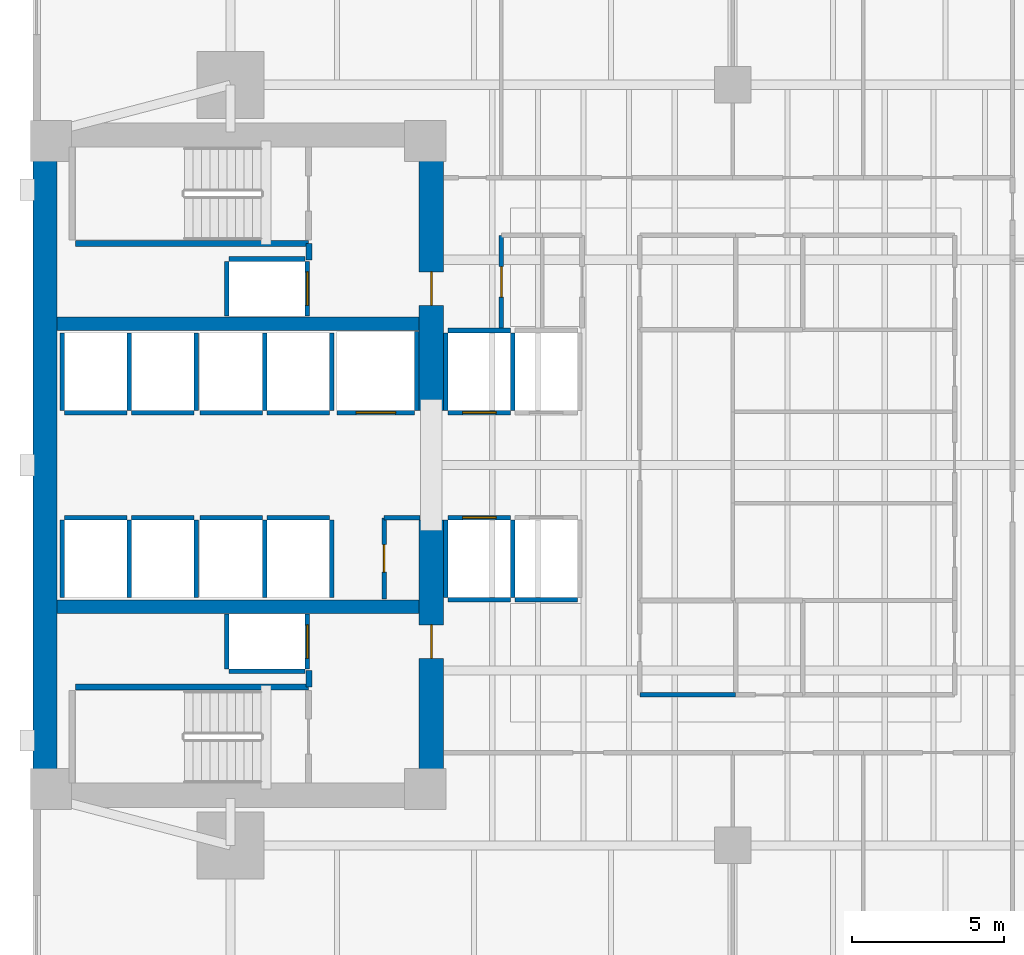
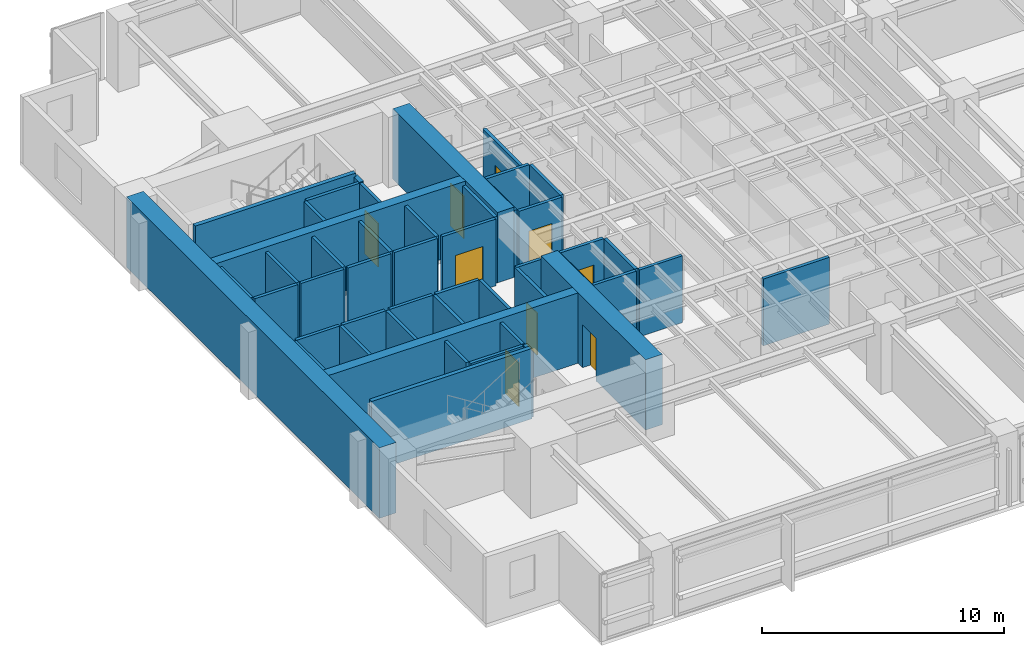
# One storey, part 8 of 15: 48 walls, 9 doors, 9 openings.
"""IFC4 building model written with IfcOpenShell, lengths in metres."""

from ifc_helpers import new_model, si_unit, direction, frame, frame_2d, origin, place, context, subcontext, project, spatial, rectangle, extrude, material, layer, layer_set, type_object, element, fill, save


model = new_model("IFC4")

# Units and contexts
model_context = context("Model", 3, precision=1e-05, world=origin(), true_north=direction((0.0, 1.0)))
body_context = subcontext(model_context, "Body", "Model", "MODEL_VIEW")
ifc_project = project(units=[si_unit("LENGTHUNIT", "METRE"), si_unit("AREAUNIT", "SQUARE_METRE"), si_unit("VOLUMEUNIT", "CUBIC_METRE"), si_unit("PLANEANGLEUNIT", "RADIAN"), si_unit("MASSUNIT", "GRAM", prefix="KILO")], contexts=[model_context])

# Site, building, storey
site_placement = place(None, origin())
site = spatial("IfcSite", under=ifc_project, at=site_placement, CompositionType="ELEMENT")
building_placement = place(site_placement, origin())
building = spatial("IfcBuilding", under=site, at=building_placement, Name="Kinhvarn Gate Tower", CompositionType="ELEMENT")
storey_placement = place(building_placement, frame((0.0, 0.0, 75.300048828125)))
storey = spatial("IfcBuildingStorey", under=building, at=storey_placement, Name="L19", CompositionType="ELEMENT", Elevation=75.300048828125)

# Walls
ifc_material_1 = material(Name="Concrete C50/60", Category="concrete")
ifc_layer_1 = layer(ifc_material_1, 0.449951171875)
ifc_layer_set_1 = layer_set([ifc_layer_1], Name="Concrete C50/60")
wall_type_1 = type_object("IfcWallType", Name="WL-CORE-450", PredefinedType="SHEAR", material=ifc_layer_set_1)
for number, where, z_axis, x_axis, name in (
    (1, (5.300048828125, 20.60009765625, 0.0), (0.0, 0.0, 1.0), (1.0, 0.0, 0.0), "Core South Spine Shear Wall L19 450 mm"),
    (2, (5.300048828125, 29.89990234375, 0.0), (0.0, 0.0, 1.0), (1.0, 0.0, 0.0), "Core North Spine Shear Wall L19 450 mm"),
):
    element("IfcWall", number, at=place(storey_placement, frame(where, z_axis=z_axis, x_axis=x_axis)), inside=storey, type_object=wall_type_1, Name=name, PredefinedType="SHEAR", context=body_context, shape_type="SweptSolid", body=[
        extrude(rectangle(XDim=11.89990234375, YDim=0.449951171875, at=frame_2d((5.949951171875, 0.0))), origin(), (0.0, 0.0, 1.0), 3.550048828125),
    ])

# Wall, opening, door
ifc_material_2 = material(Name="Concrete C70/85", Category="concrete")
ifc_layer_2 = layer(ifc_material_2, 0.800048828125)
ifc_layer_set_2 = layer_set([ifc_layer_2], Name="Concrete C70/85")
wall_type_2 = type_object("IfcWallType", Name="WL-CORE-800", PredefinedType="SHEAR", material=ifc_layer_set_2)
wall_1_placement = place(storey_placement, frame((17.60009765625, 14.800048828125, 0.0), z_axis=(0.0, 0.0, 1.0), x_axis=(0.0, 1.0, 0.0)))
wall_1 = element("IfcWall", 3, at=wall_1_placement, inside=storey, type_object=wall_type_2, Name="Core East-South Shear Pier L19 800 mm", PredefinedType="SHEAR", context=body_context, shape_type="SweptSolid", body=[
    extrude(rectangle(XDim=8.64990234375, YDim=0.800048828125, at=frame_2d((4.324951171875, 0.0))), origin(), (0.0, 0.0, 1.0), 3.550048828125),
])
opening_1_placement = place(wall_1_placement, frame((4.10009765625, 0.0, 0.0)))
opening_1 = element("IfcOpeningElement", 4, at=opening_1_placement, cuts=wall_1, Name="Opening FD-02", PredefinedType="OPENING", context=body_context, shape_type="SweptSolid", body=[
    extrude(rectangle(XDim=1.10009765625, YDim=2.14990234375, at=frame_2d((0.550048828125, 1.074951171875))), frame((0.0, 0.41015625, 0.0), z_axis=(0.0, -1.0, 0.0), x_axis=(1.0, 0.0, 0.0)), (0.0, 0.0, 1.0), 0.820068359375),
])
ifc_material_3 = material(Name="Anodised aluminium AW-6063", Category="aluminium")
door_type_1 = type_object("IfcDoorType", Name="DR-FD-1100", OperationType="NOTDEFINED", PredefinedType="DOOR", material=ifc_material_3)
door_1_placement = place(opening_1_placement, origin())
door_1 = element("IfcDoor", 5, at=door_1_placement, inside=storey, type_object=door_type_1, Name="Firefighting Lobby Core Door (L19)", OperationType="SINGLE_SWING_RIGHT", OverallHeight=2.14990234375, OverallWidth=1.10009765625, PredefinedType="DOOR", context=body_context, shape_type="SweptSolid", body=[
    extrude(rectangle(XDim=1.10009765625, YDim=2.14990234375, at=frame_2d((0.550048828125, 1.074951171875))), frame((0.0, 0.02490234375, 0.0), z_axis=(0.0, -1.0, 0.0), x_axis=(1.0, 0.0, 0.0)), (0.0, 0.0, 1.0), 0.050048828125),
])
fill(opening_1, door_1)

wall_2_placement = place(storey_placement, frame((17.60009765625, 27.050048828125, 0.0), z_axis=(0.0, 0.0, 1.0), x_axis=(0.0, 1.0, 0.0)))
wall_2 = element("IfcWall", 6, at=wall_2_placement, inside=storey, type_object=wall_type_2, Name="Core East-North Shear Pier L19 800 mm", PredefinedType="SHEAR", context=body_context, shape_type="SweptSolid", body=[
    extrude(rectangle(XDim=8.64990234375, YDim=0.800048828125, at=frame_2d((4.324951171875, 0.0))), origin(), (0.0, 0.0, 1.0), 3.550048828125),
])
opening_2_placement = place(wall_2_placement, frame((3.449951171875, 0.0, 0.0)))
opening_2 = element("IfcOpeningElement", 7, at=opening_2_placement, cuts=wall_2, Name="Opening FD-02", PredefinedType="OPENING", context=body_context, shape_type="SweptSolid", body=[
    extrude(rectangle(XDim=1.10009765625, YDim=2.14990234375, at=frame_2d((0.550048828125, 1.074951171875))), frame((0.0, 0.41015625, 0.0), z_axis=(0.0, -1.0, 0.0), x_axis=(1.0, 0.0, 0.0)), (0.0, 0.0, 1.0), 0.820068359375),
])
door_2_placement = place(opening_2_placement, origin())
door_2 = element("IfcDoor", 8, at=door_2_placement, inside=storey, type_object=door_type_1, Name="Firefighting Lobby Core Door (L19)", OperationType="SINGLE_SWING_LEFT", OverallHeight=2.14990234375, OverallWidth=1.10009765625, PredefinedType="DOOR", context=body_context, shape_type="SweptSolid", body=[
    extrude(rectangle(XDim=1.10009765625, YDim=2.14990234375, at=frame_2d((0.550048828125, 1.074951171875))), frame((0.0, 0.02490234375, 0.0), z_axis=(0.0, -1.0, 0.0), x_axis=(1.0, 0.0, 0.0)), (0.0, 0.0, 1.0), 0.050048828125),
])
fill(opening_2, door_2)

# Walls
ifc_layer_3 = layer(ifc_material_2, 0.800048828125)
ifc_layer_set_3 = layer_set([ifc_layer_3], Name="Concrete C70/85")
wall_type_3 = type_object("IfcWallType", Name="WL-COREX-800", PredefinedType="SHEAR", material=ifc_layer_set_3)
wall_3_placement = place(storey_placement, frame((4.89990234375, 14.800048828125, 0.0), z_axis=(0.0, 0.0, 1.0), x_axis=(0.0, 1.0, 0.0)))
element("IfcWall", 9, at=wall_3_placement, inside=storey, type_object=wall_type_3, Name="Core West Shear Wall L19 800 mm", PredefinedType="SHEAR", context=body_context, shape_type="SweptSolid", body=[
    extrude(rectangle(XDim=20.89990234375, YDim=0.800048828125, at=frame_2d((10.449951171875, 0.0))), origin(), (0.0, 0.0, 1.0), 3.550048828125),
])
ifc_material_4 = material(Name="Gypsum acoustic partition board")
ifc_layer_4 = layer(ifc_material_4, 0.14990234375)
ifc_layer_set_4 = layer_set([ifc_layer_4], Name="Gypsum acoustic partition board")
wall_type_4 = type_object("IfcWallType", Name="WL-PLM-150F", PredefinedType="PLUMBINGWALL", material=ifc_layer_set_4)
wall_4_placement = place(storey_placement, frame((24.449951171875, 17.699951171875, 0.0), z_axis=(0.0, 0.0, 1.0), x_axis=(1.0, 0.0, 0.0)))
element("IfcWall", 10, at=wall_4_placement, inside=storey, type_object=wall_type_4, Name="Interior Partition PLW-150F (L19)", PredefinedType="PLUMBINGWALL", context=body_context, shape_type="SweptSolid", body=[
    extrude(rectangle(XDim=3.150146484375, YDim=0.14990234375, at=frame_2d((1.5751953125, 0.0))), origin(), (0.0, 0.0, 1.0), 3.369873046875),
])

# Wall, opening, door
ifc_layer_5 = layer(ifc_material_4, 0.14990234375)
ifc_layer_set_5 = layer_set([ifc_layer_5], Name="Gypsum acoustic partition board")
wall_type_5 = type_object("IfcWallType", Name="WL-PRT-150F", PredefinedType="PARTITIONING", material=ifc_layer_set_5)
wall_5_placement = place(storey_placement, frame((16.050048828125, 20.85009765625, 0.0), z_axis=(0.0, 0.0, 1.0), x_axis=(0.0, 1.0, 0.0)))
wall_5 = element("IfcWall", 11, at=wall_5_placement, inside=storey, type_object=wall_type_5, Name="Interior Partition PW-150F (L19)", PredefinedType="PARTITIONING", context=body_context, shape_type="SweptSolid", body=[
    extrude(rectangle(XDim=2.669921875, YDim=0.14990234375, at=frame_2d((1.3349609375, 0.0))), origin(), (0.0, 0.0, 1.0), 3.369873046875),
])
opening_3_placement = place(wall_5_placement, frame((0.885009765625, 0.0, 0.0)))
opening_3 = element("IfcOpeningElement", 12, at=opening_3_placement, cuts=wall_5, Name="Opening FD-04", PredefinedType="OPENING", context=body_context, shape_type="SweptSolid", body=[
    extrude(rectangle(XDim=0.89990234375, YDim=2.10009765625, at=frame_2d((0.449951171875, 1.050048828125))), frame((0.0, 0.0849609375, 0.0), z_axis=(0.0, -1.0, 0.0), x_axis=(1.0, 0.0, 0.0)), (0.0, 0.0, 1.0), 0.169921875),
])
door_type_2 = type_object("IfcDoorType", Name="DR-FD-900", OperationType="NOTDEFINED", PredefinedType="DOOR", material=ifc_material_3)
door_3_placement = place(opening_3_placement, origin())
door_3 = element("IfcDoor", 13, at=door_3_placement, inside=storey, type_object=door_type_2, Name="Rated Riser & Service Closet Fire Door 900x2100 mm (L19)", OperationType="SINGLE_SWING_RIGHT", OverallHeight=2.10009765625, OverallWidth=0.89990234375, PredefinedType="DOOR", context=body_context, shape_type="SweptSolid", body=[
    extrude(rectangle(XDim=0.89990234375, YDim=2.10009765625, at=frame_2d((0.449951171875, 1.050048828125))), frame((0.0, 0.02490234375, 0.0), z_axis=(0.0, -1.0, 0.0), x_axis=(1.0, 0.0, 0.0)), (0.0, 0.0, 1.0), 0.050048828125),
])
fill(opening_3, door_3)

# Wall
wall_6_placement = place(storey_placement, frame((16.050048828125, 23.52001953125, 0.0), z_axis=(0.0, 0.0, 1.0), x_axis=(1.0, 0.0, 0.0)))
element("IfcWall", 14, at=wall_6_placement, inside=storey, type_object=wall_type_5, Name="Interior Partition PW-150F (L19)", PredefinedType="PARTITIONING", context=body_context, shape_type="SweptSolid", body=[
    extrude(rectangle(XDim=1.169921875, YDim=0.14990234375, at=frame_2d((0.5849609375, 0.0))), origin(), (0.0, 0.0, 1.0), 3.369873046875),
])

# Wall, opening, door
wall_7_placement = place(storey_placement, frame((19.89990234375, 29.75, 0.0), z_axis=(0.0, 0.0, 1.0), x_axis=(0.0, 1.0, 0.0)))
wall_7 = element("IfcWall", 15, at=wall_7_placement, inside=storey, type_object=wall_type_5, Name="Interior Partition PW-150F (L19)", PredefinedType="PARTITIONING", context=body_context, shape_type="SweptSolid", body=[
    extrude(rectangle(XDim=3.050048828125, YDim=0.14990234375, at=frame_2d((1.52490234375, 0.0))), origin(), (0.0, 0.0, 1.0), 3.369873046875),
])
opening_4_placement = place(wall_7_placement, frame((1.02490234375, 0.0, 0.0)))
opening_4 = element("IfcOpeningElement", 16, at=opening_4_placement, cuts=wall_7, Name="Opening ID-02", PredefinedType="OPENING", context=body_context, shape_type="SweptSolid", body=[
    extrude(rectangle(XDim=1.0, YDim=2.14990234375, at=frame_2d((0.5, 1.074951171875))), frame((0.0, 0.0849609375, 0.0), z_axis=(0.0, -1.0, 0.0), x_axis=(1.0, 0.0, 0.0)), (0.0, 0.0, 1.0), 0.169921875),
])
door_type_3 = type_object("IfcDoorType", Name="DR-INT-1000", OperationType="NOTDEFINED", PredefinedType="DOOR", material=ifc_material_3)
door_4_placement = place(opening_4_placement, origin())
door_4 = element("IfcDoor", 17, at=door_4_placement, inside=storey, type_object=door_type_3, Name="Standard Office & Meeting Room Door 1000x2150 mm (L19)", OperationType="SINGLE_SWING_LEFT", OverallHeight=2.14990234375, OverallWidth=1.0, PredefinedType="DOOR", context=body_context, shape_type="SweptSolid", body=[
    extrude(rectangle(XDim=1.0, YDim=2.14990234375, at=frame_2d((0.5, 1.074951171875))), frame((0.0, 0.02490234375, 0.0), z_axis=(0.0, -1.0, 0.0), x_axis=(1.0, 0.0, 0.0)), (0.0, 0.0, 1.0), 0.050048828125),
])
fill(opening_4, door_4)

# Walls
ifc_layer_6 = layer(ifc_material_4, 0.199951171875)
ifc_layer_set_6 = layer_set([ifc_layer_6], Name="Gypsum acoustic partition board")
wall_type_6 = type_object("IfcWallType", Name="WL-PRT-200", PredefinedType="PARTITIONING", material=ifc_layer_set_6)
for number, where, z_axis, x_axis, name in (
    (18, (13.580078125, 17.9599609375, 0.0), (0.0, 0.0, 1.0), (0.0, 1.0, 0.0), "Interior Partition PW-200 (L19)"),
    (19, (13.580078125, 32.0, 0.0), (0.0, 0.0, 1.0), (0.0, 1.0, 0.0), "Interior Partition PW-200 (L19)"),
):
    element("IfcWall", number, at=place(storey_placement, frame(where, z_axis=z_axis, x_axis=x_axis)), inside=storey, type_object=wall_type_6, Name=name, PredefinedType="PARTITIONING", context=body_context, shape_type="SweptSolid", body=[
        extrude(rectangle(XDim=0.5400390625, YDim=0.199951171875, at=frame_2d((0.27001953125, 0.0))), origin(), (0.0, 0.0, 1.0), 3.369873046875),
    ])
ifc_layer_7 = layer(ifc_material_4, 0.14990234375)
ifc_layer_set_7 = layer_set([ifc_layer_7], Name="Gypsum acoustic partition board")
wall_type_7 = type_object("IfcWallType", Name="WL-SHF-150", PredefinedType="PARTITIONING", material=ifc_layer_set_7)
wall_8_placement = place(storey_placement, frame((18.14990234375, 20.824951171875, 0.0), z_axis=(0.0, 0.0, 1.0), x_axis=(1.0, 0.0, 0.0)))
element("IfcWall", 20, at=wall_8_placement, inside=storey, type_object=wall_type_7, Name="Elevator PL-01 Hoistway Wall S (L19)", PredefinedType="PARTITIONING", context=body_context, shape_type="SweptSolid", body=[
    extrude(rectangle(XDim=2.050048828125, YDim=0.14990234375, at=frame_2d((1.02490234375, 0.0))), origin(), (0.0, 0.0, 1.0), 3.369873046875),
])

# Wall, opening, door
wall_9_placement = place(storey_placement, frame((18.14990234375, 23.52490234375, 0.0), z_axis=(0.0, 0.0, 1.0), x_axis=(1.0, 0.0, 0.0)))
wall_9 = element("IfcWall", 21, at=wall_9_placement, inside=storey, type_object=wall_type_7, Name="Elevator PL-01 Landing Wall (L19)", PredefinedType="PARTITIONING", context=body_context, shape_type="SweptSolid", body=[
    extrude(rectangle(XDim=2.050048828125, YDim=0.14990234375, at=frame_2d((1.02490234375, 0.0))), origin(), (0.0, 0.0, 1.0), 3.369873046875),
])
opening_5_placement = place(wall_9_placement, frame((0.47509765625, 0.0, 0.0)))
opening_5 = element("IfcOpeningElement", 22, at=opening_5_placement, cuts=wall_9, Name="Opening LD-01", PredefinedType="OPENING", context=body_context, shape_type="SweptSolid", body=[
    extrude(rectangle(XDim=1.10009765625, YDim=2.199951171875, at=frame_2d((0.550048828125, 1.10009765625))), frame((0.0, 0.0849609375, 0.0), z_axis=(0.0, -1.0, 0.0), x_axis=(1.0, 0.0, 0.0)), (0.0, 0.0, 1.0), 0.169921875),
])
door_type_4 = type_object("IfcDoorType", Name="DR-LND-PAS", OperationType="NOTDEFINED", PredefinedType="DOOR", material=ifc_material_3)
door_5_placement = place(opening_5_placement, origin())
door_5 = element("IfcDoor", 23, at=door_5_placement, inside=storey, type_object=door_type_4, Name="Elevator PL-01 Sliding Landing Door (L19)", OperationType="DOUBLE_DOOR_SLIDING", OverallHeight=2.199951171875, OverallWidth=1.10009765625, PredefinedType="DOOR", context=body_context, shape_type="SweptSolid", body=[
    extrude(rectangle(XDim=1.10009765625, YDim=2.199951171875, at=frame_2d((0.550048828125, 1.10009765625))), frame((0.0, 0.02490234375, 0.0), z_axis=(0.0, -1.0, 0.0), x_axis=(1.0, 0.0, 0.0)), (0.0, 0.0, 1.0), 0.050048828125),
])
fill(opening_5, door_5)

# Walls
for number, where, z_axis, x_axis, name in (
    (24, (18.074951171875, 20.89990234375, 0.0), (0.0, 0.0, 1.0), (0.0, 1.0, 0.0), "Elevator PL-01 Hoistway Wall W (L19)"),
    (25, (20.27490234375, 20.89990234375, 0.0), (0.0, 0.0, 1.0), (0.0, 1.0, 0.0), "Elevator PL-01 Hoistway Wall E (L19)"),
):
    element("IfcWall", number, at=place(storey_placement, frame(where, z_axis=z_axis, x_axis=x_axis)), inside=storey, type_object=wall_type_7, Name=name, PredefinedType="PARTITIONING", context=body_context, shape_type="SweptSolid", body=[
        extrude(rectangle(XDim=2.550048828125, YDim=0.14990234375, at=frame_2d((1.27490234375, 0.0))), origin(), (0.0, 0.0, 1.0), 3.369873046875),
    ])
wall_10_placement = place(storey_placement, frame((20.35009765625, 20.824951171875, 0.0), z_axis=(0.0, 0.0, 1.0), x_axis=(1.0, 0.0, 0.0)))
element("IfcWall", 26, at=wall_10_placement, inside=storey, type_object=wall_type_7, Name="Elevator PL-02 Hoistway Wall S (L19)", PredefinedType="PARTITIONING", context=body_context, shape_type="SweptSolid", body=[
    extrude(rectangle(XDim=2.0498046875, YDim=0.14990234375, at=frame_2d((1.02490234375, 0.0))), origin(), (0.0, 0.0, 1.0), 3.369873046875),
])

# Wall, opening, door
wall_11_placement = place(storey_placement, frame((18.14990234375, 26.97509765625, 0.0), z_axis=(0.0, 0.0, 1.0), x_axis=(1.0, 0.0, 0.0)))
wall_11 = element("IfcWall", 27, at=wall_11_placement, inside=storey, type_object=wall_type_7, Name="Elevator PL-03 Landing Wall (L19)", PredefinedType="PARTITIONING", context=body_context, shape_type="SweptSolid", body=[
    extrude(rectangle(XDim=2.050048828125, YDim=0.14990234375, at=frame_2d((1.02490234375, 0.0))), origin(), (0.0, 0.0, 1.0), 3.369873046875),
])
opening_6_placement = place(wall_11_placement, frame((0.47509765625, 0.0, 0.0)))
opening_6 = element("IfcOpeningElement", 28, at=opening_6_placement, cuts=wall_11, Name="Opening LD-01", PredefinedType="OPENING", context=body_context, shape_type="SweptSolid", body=[
    extrude(rectangle(XDim=1.10009765625, YDim=2.199951171875, at=frame_2d((0.550048828125, 1.10009765625))), frame((0.0, 0.0849609375, 0.0), z_axis=(0.0, -1.0, 0.0), x_axis=(1.0, 0.0, 0.0)), (0.0, 0.0, 1.0), 0.169921875),
])
door_6_placement = place(opening_6_placement, origin())
door_6 = element("IfcDoor", 29, at=door_6_placement, inside=storey, type_object=door_type_4, Name="Elevator PL-03 Sliding Landing Door (L19)", OperationType="DOUBLE_DOOR_SLIDING", OverallHeight=2.199951171875, OverallWidth=1.10009765625, PredefinedType="DOOR", context=body_context, shape_type="SweptSolid", body=[
    extrude(rectangle(XDim=1.10009765625, YDim=2.199951171875, at=frame_2d((0.550048828125, 1.10009765625))), frame((0.0, 0.02490234375, 0.0), z_axis=(0.0, -1.0, 0.0), x_axis=(1.0, 0.0, 0.0)), (0.0, 0.0, 1.0), 0.050048828125),
])
fill(opening_6, door_6)

# Walls
wall_12_placement = place(storey_placement, frame((18.14990234375, 29.675048828125, 0.0), z_axis=(0.0, 0.0, 1.0), x_axis=(1.0, 0.0, 0.0)))
element("IfcWall", 30, at=wall_12_placement, inside=storey, type_object=wall_type_7, Name="Elevator PL-03 Hoistway Wall N (L19)", PredefinedType="PARTITIONING", context=body_context, shape_type="SweptSolid", body=[
    extrude(rectangle(XDim=2.050048828125, YDim=0.14990234375, at=frame_2d((1.02490234375, 0.0))), origin(), (0.0, 0.0, 1.0), 3.369873046875),
])
for number, where, z_axis, x_axis, name in (
    (31, (18.074951171875, 27.050048828125, 0.0), (0.0, 0.0, 1.0), (0.0, 1.0, 0.0), "Elevator PL-03 Hoistway Wall W (L19)"),
    (32, (20.27490234375, 27.050048828125, 0.0), (0.0, 0.0, 1.0), (0.0, 1.0, 0.0), "Elevator PL-03 Hoistway Wall E (L19)"),
):
    element("IfcWall", number, at=place(storey_placement, frame(where, z_axis=z_axis, x_axis=x_axis)), inside=storey, type_object=wall_type_7, Name=name, PredefinedType="PARTITIONING", context=body_context, shape_type="SweptSolid", body=[
        extrude(rectangle(XDim=2.550048828125, YDim=0.14990234375, at=frame_2d((1.27490234375, 0.0))), origin(), (0.0, 0.0, 1.0), 3.369873046875),
    ])
wall_13_placement = place(storey_placement, frame((5.550048828125, 23.52490234375, 0.0), z_axis=(0.0, 0.0, 1.0), x_axis=(1.0, 0.0, 0.0)))
element("IfcWall", 33, at=wall_13_placement, inside=storey, type_object=wall_type_7, Name="Elevator PM-05 Landing Wall (L19)", PredefinedType="PARTITIONING", context=body_context, shape_type="SweptSolid", body=[
    extrude(rectangle(XDim=2.050048828125, YDim=0.14990234375, at=frame_2d((1.02490234375, 0.0))), origin(), (0.0, 0.0, 1.0), 3.369873046875),
])
for number, where, z_axis, x_axis, name in (
    (34, (5.47509765625, 20.89990234375, 0.0), (0.0, 0.0, 1.0), (0.0, 1.0, 0.0), "Elevator PM-05 Hoistway Wall W (L19)"),
    (35, (7.675048828125, 20.89990234375, 0.0), (0.0, 0.0, 1.0), (0.0, 1.0, 0.0), "Elevator PM-05 Hoistway Wall E (L19)"),
):
    element("IfcWall", number, at=place(storey_placement, frame(where, z_axis=z_axis, x_axis=x_axis)), inside=storey, type_object=wall_type_7, Name=name, PredefinedType="PARTITIONING", context=body_context, shape_type="SweptSolid", body=[
        extrude(rectangle(XDim=2.550048828125, YDim=0.14990234375, at=frame_2d((1.27490234375, 0.0))), origin(), (0.0, 0.0, 1.0), 3.369873046875),
    ])
wall_14_placement = place(storey_placement, frame((7.75, 23.52490234375, 0.0), z_axis=(0.0, 0.0, 1.0), x_axis=(1.0, 0.0, 0.0)))
element("IfcWall", 36, at=wall_14_placement, inside=storey, type_object=wall_type_7, Name="Elevator PM-06 Landing Wall (L19)", PredefinedType="PARTITIONING", context=body_context, shape_type="SweptSolid", body=[
    extrude(rectangle(XDim=2.050048828125, YDim=0.14990234375, at=frame_2d((1.02490234375, 0.0))), origin(), (0.0, 0.0, 1.0), 3.369873046875),
])
wall_15_placement = place(storey_placement, frame((9.875, 20.89990234375, 0.0), z_axis=(0.0, 0.0, 1.0), x_axis=(0.0, 1.0, 0.0)))
element("IfcWall", 37, at=wall_15_placement, inside=storey, type_object=wall_type_7, Name="Elevator PM-06 Hoistway Wall E (L19)", PredefinedType="PARTITIONING", context=body_context, shape_type="SweptSolid", body=[
    extrude(rectangle(XDim=2.550048828125, YDim=0.14990234375, at=frame_2d((1.27490234375, 0.0))), origin(), (0.0, 0.0, 1.0), 3.369873046875),
])
wall_16_placement = place(storey_placement, frame((5.550048828125, 26.97509765625, 0.0), z_axis=(0.0, 0.0, 1.0), x_axis=(1.0, 0.0, 0.0)))
element("IfcWall", 38, at=wall_16_placement, inside=storey, type_object=wall_type_7, Name="Elevator PM-07 Landing Wall (L19)", PredefinedType="PARTITIONING", context=body_context, shape_type="SweptSolid", body=[
    extrude(rectangle(XDim=2.050048828125, YDim=0.14990234375, at=frame_2d((1.02490234375, 0.0))), origin(), (0.0, 0.0, 1.0), 3.369873046875),
])
for number, where, z_axis, x_axis, name in (
    (39, (5.47509765625, 27.050048828125, 0.0), (0.0, 0.0, 1.0), (0.0, 1.0, 0.0), "Elevator PM-07 Hoistway Wall W (L19)"),
    (40, (7.675048828125, 27.050048828125, 0.0), (0.0, 0.0, 1.0), (0.0, 1.0, 0.0), "Elevator PM-07 Hoistway Wall E (L19)"),
):
    element("IfcWall", number, at=place(storey_placement, frame(where, z_axis=z_axis, x_axis=x_axis)), inside=storey, type_object=wall_type_7, Name=name, PredefinedType="PARTITIONING", context=body_context, shape_type="SweptSolid", body=[
        extrude(rectangle(XDim=2.550048828125, YDim=0.14990234375, at=frame_2d((1.27490234375, 0.0))), origin(), (0.0, 0.0, 1.0), 3.369873046875),
    ])
wall_17_placement = place(storey_placement, frame((7.75, 26.97509765625, 0.0), z_axis=(0.0, 0.0, 1.0), x_axis=(1.0, 0.0, 0.0)))
element("IfcWall", 41, at=wall_17_placement, inside=storey, type_object=wall_type_7, Name="Elevator PM-08 Landing Wall (L19)", PredefinedType="PARTITIONING", context=body_context, shape_type="SweptSolid", body=[
    extrude(rectangle(XDim=2.050048828125, YDim=0.14990234375, at=frame_2d((1.02490234375, 0.0))), origin(), (0.0, 0.0, 1.0), 3.369873046875),
])
wall_18_placement = place(storey_placement, frame((9.875, 27.050048828125, 0.0), z_axis=(0.0, 0.0, 1.0), x_axis=(0.0, 1.0, 0.0)))
element("IfcWall", 42, at=wall_18_placement, inside=storey, type_object=wall_type_7, Name="Elevator PM-08 Hoistway Wall E (L19)", PredefinedType="PARTITIONING", context=body_context, shape_type="SweptSolid", body=[
    extrude(rectangle(XDim=2.550048828125, YDim=0.14990234375, at=frame_2d((1.27490234375, 0.0))), origin(), (0.0, 0.0, 1.0), 3.369873046875),
])
wall_19_placement = place(storey_placement, frame((10.0, 23.52490234375, 0.0), z_axis=(0.0, 0.0, 1.0), x_axis=(1.0, 0.0, 0.0)))
element("IfcWall", 43, at=wall_19_placement, inside=storey, type_object=wall_type_7, Name="Elevator PH-09 Landing Wall (L19)", PredefinedType="PARTITIONING", context=body_context, shape_type="SweptSolid", body=[
    extrude(rectangle(XDim=2.050048828125, YDim=0.14990234375, at=frame_2d((1.02490234375, 0.0))), origin(), (0.0, 0.0, 1.0), 3.369873046875),
])
wall_20_placement = place(storey_placement, frame((12.125, 20.89990234375, 0.0), z_axis=(0.0, 0.0, 1.0), x_axis=(0.0, 1.0, 0.0)))
element("IfcWall", 44, at=wall_20_placement, inside=storey, type_object=wall_type_7, Name="Elevator PH-09 Hoistway Wall E (L19)", PredefinedType="PARTITIONING", context=body_context, shape_type="SweptSolid", body=[
    extrude(rectangle(XDim=2.550048828125, YDim=0.14990234375, at=frame_2d((1.27490234375, 0.0))), origin(), (0.0, 0.0, 1.0), 3.369873046875),
])
wall_21_placement = place(storey_placement, frame((12.199951171875, 23.52490234375, 0.0), z_axis=(0.0, 0.0, 1.0), x_axis=(1.0, 0.0, 0.0)))
element("IfcWall", 45, at=wall_21_placement, inside=storey, type_object=wall_type_7, Name="Elevator PH-10 Landing Wall (L19)", PredefinedType="PARTITIONING", context=body_context, shape_type="SweptSolid", body=[
    extrude(rectangle(XDim=2.050048828125, YDim=0.14990234375, at=frame_2d((1.02490234375, 0.0))), origin(), (0.0, 0.0, 1.0), 3.369873046875),
])
wall_22_placement = place(storey_placement, frame((14.324951171875, 20.89990234375, 0.0), z_axis=(0.0, 0.0, 1.0), x_axis=(0.0, 1.0, 0.0)))
element("IfcWall", 46, at=wall_22_placement, inside=storey, type_object=wall_type_7, Name="Elevator PH-10 Hoistway Wall E (L19)", PredefinedType="PARTITIONING", context=body_context, shape_type="SweptSolid", body=[
    extrude(rectangle(XDim=2.550048828125, YDim=0.14990234375, at=frame_2d((1.27490234375, 0.0))), origin(), (0.0, 0.0, 1.0), 3.369873046875),
])
wall_23_placement = place(storey_placement, frame((10.0, 26.97509765625, 0.0), z_axis=(0.0, 0.0, 1.0), x_axis=(1.0, 0.0, 0.0)))
element("IfcWall", 47, at=wall_23_placement, inside=storey, type_object=wall_type_7, Name="Elevator PH-11 Landing Wall (L19)", PredefinedType="PARTITIONING", context=body_context, shape_type="SweptSolid", body=[
    extrude(rectangle(XDim=2.050048828125, YDim=0.14990234375, at=frame_2d((1.02490234375, 0.0))), origin(), (0.0, 0.0, 1.0), 3.369873046875),
])
wall_24_placement = place(storey_placement, frame((12.125, 27.050048828125, 0.0), z_axis=(0.0, 0.0, 1.0), x_axis=(0.0, 1.0, 0.0)))
element("IfcWall", 48, at=wall_24_placement, inside=storey, type_object=wall_type_7, Name="Elevator PH-11 Hoistway Wall E (L19)", PredefinedType="PARTITIONING", context=body_context, shape_type="SweptSolid", body=[
    extrude(rectangle(XDim=2.550048828125, YDim=0.14990234375, at=frame_2d((1.27490234375, 0.0))), origin(), (0.0, 0.0, 1.0), 3.369873046875),
])
wall_25_placement = place(storey_placement, frame((12.199951171875, 26.97509765625, 0.0), z_axis=(0.0, 0.0, 1.0), x_axis=(1.0, 0.0, 0.0)))
element("IfcWall", 49, at=wall_25_placement, inside=storey, type_object=wall_type_7, Name="Elevator PH-12 Landing Wall (L19)", PredefinedType="PARTITIONING", context=body_context, shape_type="SweptSolid", body=[
    extrude(rectangle(XDim=2.050048828125, YDim=0.14990234375, at=frame_2d((1.02490234375, 0.0))), origin(), (0.0, 0.0, 1.0), 3.369873046875),
])
wall_26_placement = place(storey_placement, frame((14.324951171875, 27.050048828125, 0.0), z_axis=(0.0, 0.0, 1.0), x_axis=(0.0, 1.0, 0.0)))
element("IfcWall", 50, at=wall_26_placement, inside=storey, type_object=wall_type_7, Name="Elevator PH-12 Hoistway Wall E (L19)", PredefinedType="PARTITIONING", context=body_context, shape_type="SweptSolid", body=[
    extrude(rectangle(XDim=2.550048828125, YDim=0.14990234375, at=frame_2d((1.27490234375, 0.0))), origin(), (0.0, 0.0, 1.0), 3.369873046875),
])

# Wall, opening, door
wall_27_placement = place(storey_placement, frame((14.5, 26.97509765625, 0.0), z_axis=(0.0, 0.0, 1.0), x_axis=(1.0, 0.0, 0.0)))
wall_27 = element("IfcWall", 51, at=wall_27_placement, inside=storey, type_object=wall_type_7, Name="Elevator SV-01 Landing Wall (L19)", PredefinedType="PARTITIONING", context=body_context, shape_type="SweptSolid", body=[
    extrude(rectangle(XDim=2.550048828125, YDim=0.14990234375, at=frame_2d((1.27490234375, 0.0))), origin(), (0.0, 0.0, 1.0), 3.369873046875),
])
opening_7_placement = place(wall_27_placement, frame((0.625, 0.0, 0.0)))
opening_7 = element("IfcOpeningElement", 52, at=opening_7_placement, cuts=wall_27, Name="Opening LD-02", PredefinedType="OPENING", context=body_context, shape_type="SweptSolid", body=[
    extrude(rectangle(XDim=1.300048828125, YDim=2.199951171875, at=frame_2d((0.64990234375, 1.10009765625))), frame((0.0, 0.0849609375, 0.0), z_axis=(0.0, -1.0, 0.0), x_axis=(1.0, 0.0, 0.0)), (0.0, 0.0, 1.0), 0.169921875),
])
door_type_5 = type_object("IfcDoorType", Name="DR-LND-SRV", OperationType="NOTDEFINED", PredefinedType="DOOR", material=ifc_material_3)
door_7_placement = place(opening_7_placement, origin())
door_7 = element("IfcDoor", 53, at=door_7_placement, inside=storey, type_object=door_type_5, Name="Elevator SV-01 Sliding Landing Door (L19)", OperationType="DOUBLE_DOOR_SLIDING", OverallHeight=2.199951171875, OverallWidth=1.300048828125, PredefinedType="DOOR", context=body_context, shape_type="SweptSolid", body=[
    extrude(rectangle(XDim=1.300048828125, YDim=2.199951171875, at=frame_2d((0.64990234375, 1.10009765625))), frame((0.0, 0.02490234375, 0.0), z_axis=(0.0, -1.0, 0.0), x_axis=(1.0, 0.0, 0.0)), (0.0, 0.0, 1.0), 0.050048828125),
])
fill(opening_7, door_7)

# Walls
wall_28_placement = place(storey_placement, frame((17.125, 27.050048828125, 0.0), z_axis=(0.0, 0.0, 1.0), x_axis=(0.0, 1.0, 0.0)))
element("IfcWall", 54, at=wall_28_placement, inside=storey, type_object=wall_type_7, Name="Elevator SV-01 Hoistway Wall E (L19)", PredefinedType="PARTITIONING", context=body_context, shape_type="SweptSolid", body=[
    extrude(rectangle(XDim=2.599853515625, YDim=0.14990234375, at=frame_2d((1.2998046875, 0.0))), origin(), (0.0, 0.0, 1.0), 3.369873046875),
])
wall_29_placement = place(storey_placement, frame((10.949951171875, 18.47509765625, 0.0), z_axis=(0.0, 0.0, 1.0), x_axis=(1.0, 0.0, 0.0)))
element("IfcWall", 55, at=wall_29_placement, inside=storey, type_object=wall_type_7, Name="Elevator FF1 Hoistway Wall S (L19)", PredefinedType="PARTITIONING", context=body_context, shape_type="SweptSolid", body=[
    extrude(rectangle(XDim=2.5, YDim=0.14990234375, at=frame_2d((1.25, 0.0))), origin(), (0.0, 0.0, 1.0), 3.369873046875),
])
wall_30_placement = place(storey_placement, frame((10.875, 18.550048828125, 0.0), z_axis=(0.0, 0.0, 1.0), x_axis=(0.0, 1.0, 0.0)))
element("IfcWall", 56, at=wall_30_placement, inside=storey, type_object=wall_type_7, Name="Elevator FF1 Hoistway Wall W (L19)", PredefinedType="PARTITIONING", context=body_context, shape_type="SweptSolid", body=[
    extrude(rectangle(XDim=1.800048828125, YDim=0.14990234375, at=frame_2d((0.89990234375, 0.0))), origin(), (0.0, 0.0, 1.0), 3.369873046875),
])

# Wall, opening, door
wall_31_placement = place(storey_placement, frame((13.52490234375, 18.550048828125, 0.0), z_axis=(0.0, 0.0, 1.0), x_axis=(0.0, 1.0, 0.0)))
wall_31 = element("IfcWall", 57, at=wall_31_placement, inside=storey, type_object=wall_type_7, Name="Elevator FF1 Landing Wall (L19)", PredefinedType="PARTITIONING", context=body_context, shape_type="SweptSolid", body=[
    extrude(rectangle(XDim=1.800048828125, YDim=0.14990234375, at=frame_2d((0.89990234375, 0.0))), origin(), (0.0, 0.0, 1.0), 3.369873046875),
])
opening_8_placement = place(wall_31_placement, frame((0.35009765625, 0.0, 0.0)))
opening_8 = element("IfcOpeningElement", 58, at=opening_8_placement, cuts=wall_31, Name="Opening LD-03", PredefinedType="OPENING", context=body_context, shape_type="SweptSolid", body=[
    extrude(rectangle(XDim=1.10009765625, YDim=2.199951171875, at=frame_2d((0.550048828125, 1.10009765625))), frame((0.0, 0.0849609375, 0.0), z_axis=(0.0, -1.0, 0.0), x_axis=(1.0, 0.0, 0.0)), (0.0, 0.0, 1.0), 0.169921875),
])
door_type_6 = type_object("IfcDoorType", Name="DR-LND-FF", OperationType="NOTDEFINED", PredefinedType="DOOR", material=ifc_material_3)
door_8_placement = place(opening_8_placement, origin())
door_8 = element("IfcDoor", 59, at=door_8_placement, inside=storey, type_object=door_type_6, Name="Elevator FF1 Sliding Landing Door (L19)", OperationType="DOUBLE_DOOR_SLIDING", OverallHeight=2.199951171875, OverallWidth=1.10009765625, PredefinedType="DOOR", context=body_context, shape_type="SweptSolid", body=[
    extrude(rectangle(XDim=1.10009765625, YDim=2.199951171875, at=frame_2d((0.550048828125, 1.10009765625))), frame((0.0, 0.02490234375, 0.0), z_axis=(0.0, -1.0, 0.0), x_axis=(1.0, 0.0, 0.0)), (0.0, 0.0, 1.0), 0.050048828125),
])
fill(opening_8, door_8)

# Walls
wall_32_placement = place(storey_placement, frame((10.949951171875, 32.02490234375, 0.0), z_axis=(0.0, 0.0, 1.0), x_axis=(1.0, 0.0, 0.0)))
element("IfcWall", 60, at=wall_32_placement, inside=storey, type_object=wall_type_7, Name="Elevator FF2 Hoistway Wall N (L19)", PredefinedType="PARTITIONING", context=body_context, shape_type="SweptSolid", body=[
    extrude(rectangle(XDim=2.5, YDim=0.14990234375, at=frame_2d((1.25, 0.0))), origin(), (0.0, 0.0, 1.0), 3.369873046875),
])
wall_33_placement = place(storey_placement, frame((10.875, 30.14990234375, 0.0), z_axis=(0.0, 0.0, 1.0), x_axis=(0.0, 1.0, 0.0)))
element("IfcWall", 61, at=wall_33_placement, inside=storey, type_object=wall_type_7, Name="Elevator FF2 Hoistway Wall W (L19)", PredefinedType="PARTITIONING", context=body_context, shape_type="SweptSolid", body=[
    extrude(rectangle(XDim=1.800048828125, YDim=0.14990234375, at=frame_2d((0.89990234375, 0.0))), origin(), (0.0, 0.0, 1.0), 3.369873046875),
])

# Wall, opening, door
wall_34_placement = place(storey_placement, frame((13.52490234375, 30.14990234375, 0.0), z_axis=(0.0, 0.0, 1.0), x_axis=(0.0, 1.0, 0.0)))
wall_34 = element("IfcWall", 62, at=wall_34_placement, inside=storey, type_object=wall_type_7, Name="Elevator FF2 Landing Wall (L19)", PredefinedType="PARTITIONING", context=body_context, shape_type="SweptSolid", body=[
    extrude(rectangle(XDim=1.800048828125, YDim=0.14990234375, at=frame_2d((0.89990234375, 0.0))), origin(), (0.0, 0.0, 1.0), 3.369873046875),
])
opening_9_placement = place(wall_34_placement, frame((0.35009765625, 0.0, 0.0)))
opening_9 = element("IfcOpeningElement", 63, at=opening_9_placement, cuts=wall_34, Name="Opening LD-03", PredefinedType="OPENING", context=body_context, shape_type="SweptSolid", body=[
    extrude(rectangle(XDim=1.10009765625, YDim=2.199951171875, at=frame_2d((0.550048828125, 1.10009765625))), frame((0.0, 0.0849609375, 0.0), z_axis=(0.0, -1.0, 0.0), x_axis=(1.0, 0.0, 0.0)), (0.0, 0.0, 1.0), 0.169921875),
])
door_9_placement = place(opening_9_placement, origin())
door_9 = element("IfcDoor", 64, at=door_9_placement, inside=storey, type_object=door_type_6, Name="Elevator FF2 Sliding Landing Door (L19)", OperationType="DOUBLE_DOOR_SLIDING", OverallHeight=2.199951171875, OverallWidth=1.10009765625, PredefinedType="DOOR", context=body_context, shape_type="SweptSolid", body=[
    extrude(rectangle(XDim=1.10009765625, YDim=2.199951171875, at=frame_2d((0.550048828125, 1.10009765625))), frame((0.0, 0.02490234375, 0.0), z_axis=(0.0, -1.0, 0.0), x_axis=(1.0, 0.0, 0.0)), (0.0, 0.0, 1.0), 0.050048828125),
])
fill(opening_9, door_9)

# Walls
ifc_material_5 = material(Name="Concrete C40/50", Category="concrete")
ifc_layer_8 = layer(ifc_material_5, 0.199951171875)
ifc_layer_set_8 = layer_set([ifc_layer_8], Name="Concrete C40/50")
wall_type_8 = type_object("IfcWallType", Name="WL-SHF-200", PredefinedType="SOLIDWALL", material=ifc_layer_set_8)
for number, where, z_axis, x_axis, name in (
    (65, (5.89990234375, 17.9599609375, 0.0), (0.0, 0.0, 1.0), (1.0, 0.0, 0.0), "Stair ST1 North Shaft Wall (L19)"),
    (66, (5.89990234375, 32.5400390625, 0.0), (0.0, 0.0, 1.0), (1.0, 0.0, 0.0), "Stair ST2 South Shaft Wall (L19)"),
):
    element("IfcWall", number, at=place(storey_placement, frame(where, z_axis=z_axis, x_axis=x_axis)), inside=storey, type_object=wall_type_8, Name=name, PredefinedType="SOLIDWALL", context=body_context, shape_type="SweptSolid", body=[
        extrude(rectangle(XDim=7.66015625, YDim=0.199951171875, at=frame_2d((3.830078125, 0.0))), origin(), (0.0, 0.0, 1.0), 3.550048828125),
    ])

save(model, "model.ifc")
